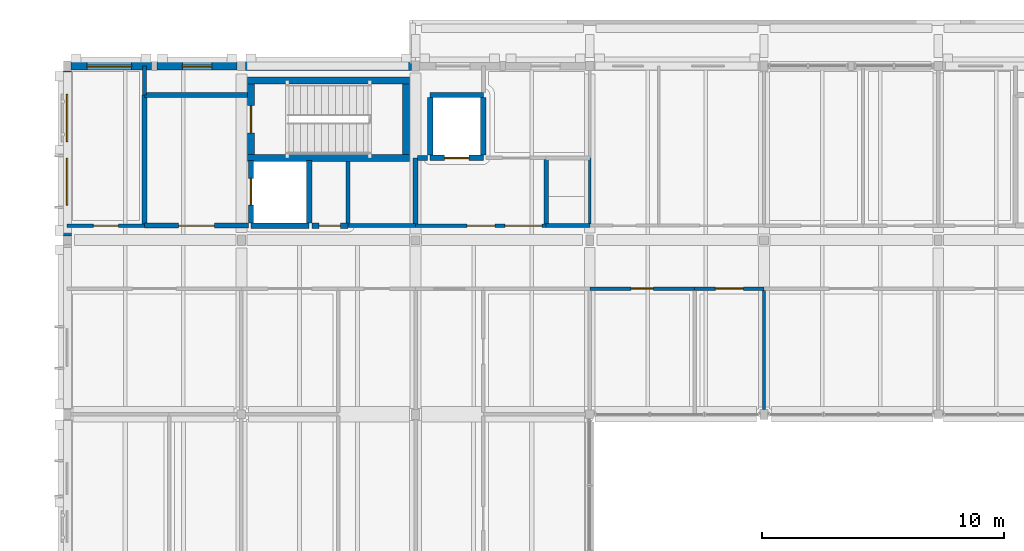
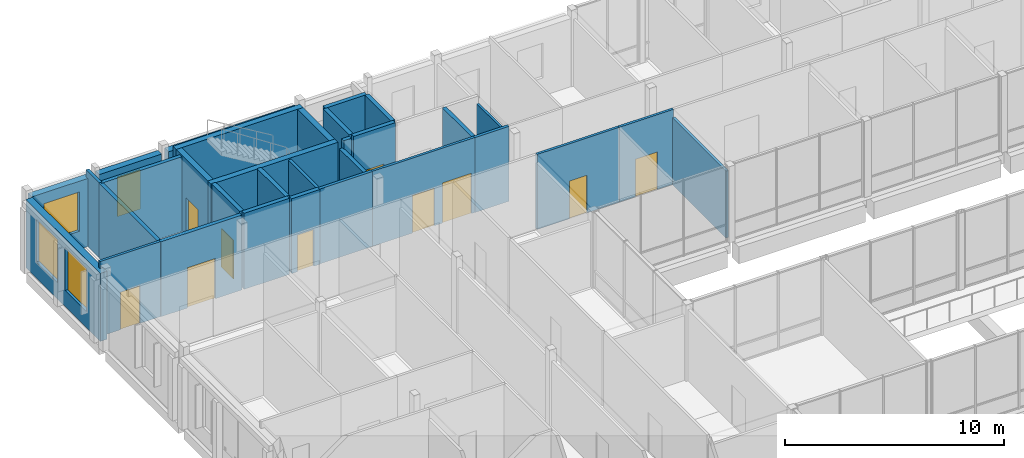
# One storey, part 109 of 146: 32 walls, 10 doors, 4 windows, 14 openings.
"""IFC4 building model written with IfcOpenShell, lengths in metres."""

from ifc_helpers import new_model, si_unit, direction, frame, frame_2d, origin, place, context, subcontext, project, spatial, rectangle, extrude, material, layer, layer_set, type_object, element, fill, save


model = new_model("IFC4")

# Units and contexts
model_context = context("Model", 3, precision=1e-05, world=origin(), true_north=direction((0.0, 1.0)))
body_context = subcontext(model_context, "Body", "Model", "MODEL_VIEW")
ifc_project = project(units=[si_unit("LENGTHUNIT", "METRE"), si_unit("AREAUNIT", "SQUARE_METRE"), si_unit("VOLUMEUNIT", "CUBIC_METRE"), si_unit("PLANEANGLEUNIT", "RADIAN"), si_unit("MASSUNIT", "GRAM", prefix="KILO")], contexts=[model_context])

# Site, building, storey
site_placement = place(None, origin())
site = spatial("IfcSite", under=ifc_project, at=site_placement, CompositionType="ELEMENT")
building_placement = place(site_placement, origin())
building = spatial("IfcBuilding", under=site, at=building_placement, Name="Hawrajan Terrace Health Centre", CompositionType="ELEMENT")
storey_placement = place(building_placement, frame((0.0, 0.0, 4.5)))
storey = spatial("IfcBuildingStorey", under=building, at=storey_placement, Name="L01", CompositionType="ELEMENT", Elevation=4.5)

# Wall, opening, door
ifc_material_1 = material(Name="Gypsum board on acoustic stud framing")
ifc_layer_1 = layer(ifc_material_1, 0.139892578125)
ifc_layer_set_1 = layer_set([ifc_layer_1], Name="Gypsum board on acoustic stud framing")
wall_type_1 = type_object("IfcWallType", Name="ClinicalAcousticWall_140", PredefinedType="PARTITIONING", material=ifc_layer_set_1)
wall_1_placement = place(storey_placement, frame((4.60009765625, 53.199951171875, 0.0), z_axis=(0.0, 0.0, 1.0), x_axis=(1.0, 0.0, 0.0)))
wall_1 = element("IfcWall", 1, at=wall_1_placement, inside=storey, type_object=wall_type_1, Name="Interior wall IW-L01-0513", PredefinedType="PARTITIONING", context=body_context, shape_type="SweptSolid", body=[
    extrude(rectangle(XDim=3.199951171875, YDim=0.139892578125, at=frame_2d((1.60009765625, 0.0))), origin(), (0.0, 0.0, 1.0), 4.179931640625),
])
opening_1_placement = place(wall_1_placement, frame((1.080078125, 0.0, 0.0)))
opening_1 = element("IfcOpeningElement", 2, at=opening_1_placement, cuts=wall_1, Name="Opening D-L01-315", PredefinedType="OPENING", context=body_context, shape_type="SweptSolid", body=[
    extrude(rectangle(XDim=1.0400390625, YDim=2.10009765625, at=frame_2d((0.52001953125, 1.050048828125))), frame((0.0, 0.079833984375, 0.0), z_axis=(0.0, -1.0, 0.0), x_axis=(1.0, 0.0, 0.0)), (0.0, 0.0, 1.0), 0.159912109375),
])
ifc_material_2 = material(Name="Hardwood acoustic clinical door leaf and frame", Category="wood")
door_type_1 = type_object("IfcDoorType", Name="ConsultDoor_1040x2100", OperationType="NOTDEFINED", PredefinedType="DOOR", material=ifc_material_2)
door_1_placement = place(opening_1_placement, origin())
door_1 = element("IfcDoor", 3, at=door_1_placement, inside=storey, type_object=door_type_1, Name="Interior door D-L01-315", OperationType="SINGLE_SWING_LEFT", OverallHeight=2.10009765625, OverallWidth=1.0400390625, PredefinedType="DOOR", context=body_context, shape_type="SweptSolid", body=[
    extrude(rectangle(XDim=1.0400390625, YDim=2.10009765625, at=frame_2d((0.52001953125, 1.050048828125))), frame((0.0, 0.02490234375, 0.0), z_axis=(0.0, -1.0, 0.0), x_axis=(1.0, 0.0, 0.0)), (0.0, 0.0, 1.0), 0.050048828125),
])
fill(opening_1, door_1)

# Wall, openings, doors
wall_2_placement = place(storey_placement, frame((19.0, 53.199951171875, 0.0), z_axis=(0.0, 0.0, 1.0), x_axis=(1.0, 0.0, 0.0)))
wall_2 = element("IfcWall", 4, at=wall_2_placement, inside=storey, type_object=wall_type_1, Name="Interior wall IW-L01-0550", PredefinedType="PARTITIONING", context=body_context, shape_type="SweptSolid", body=[
    extrude(rectangle(XDim=5.39990234375, YDim=0.139892578125, at=frame_2d((2.699951171875, 0.0))), origin(), (0.0, 0.0, 1.0), 4.179931640625),
])
opening_2_placement = place(wall_2_placement, frame((2.1201171875, 0.0, 0.0)))
opening_2 = element("IfcOpeningElement", 5, at=opening_2_placement, cuts=wall_2, Name="Opening D-L01-252", PredefinedType="OPENING", context=body_context, shape_type="SweptSolid", body=[
    extrude(rectangle(XDim=1.159912109375, YDim=2.10009765625, at=frame_2d((0.580078125, 1.050048828125))), frame((0.0, 0.079833984375, 0.0), z_axis=(0.0, -1.0, 0.0), x_axis=(1.0, 0.0, 0.0)), (0.0, 0.0, 1.0), 0.159912109375),
])
opening_3_placement = place(wall_2_placement, frame((3.68994140625, 0.0, 0.0)))
opening_3 = element("IfcOpeningElement", 6, at=opening_3_placement, cuts=wall_2, Name="Opening D-L01-254", PredefinedType="OPENING", context=body_context, shape_type="SweptSolid", body=[
    extrude(rectangle(XDim=1.5400390625, YDim=2.25, at=frame_2d((0.77001953125, 1.125))), frame((0.0, 0.079833984375, 0.0), z_axis=(0.0, -1.0, 0.0), x_axis=(1.0, 0.0, 0.0)), (0.0, 0.0, 1.0), 0.159912109375),
])
door_type_2 = type_object("IfcDoorType", Name="ConsultDoor_1160x2100", OperationType="NOTDEFINED", PredefinedType="DOOR", material=ifc_material_2)
door_2_placement = place(opening_2_placement, origin())
door_2 = element("IfcDoor", 7, at=door_2_placement, inside=storey, type_object=door_type_2, Name="Interior door D-L01-252", OperationType="SINGLE_SWING_RIGHT", OverallHeight=2.10009765625, OverallWidth=1.159912109375, PredefinedType="DOOR", context=body_context, shape_type="SweptSolid", body=[
    extrude(rectangle(XDim=1.159912109375, YDim=2.10009765625, at=frame_2d((0.580078125, 1.050048828125))), frame((0.0, 0.02490234375, 0.0), z_axis=(0.0, -1.0, 0.0), x_axis=(1.0, 0.0, 0.0)), (0.0, 0.0, 1.0), 0.050048828125),
])
fill(opening_2, door_2)
door_type_3 = type_object("IfcDoorType", Name="RecoveryBayDoor_1540x2250", OperationType="DOUBLE_DOOR_SINGLE_SWING", PredefinedType="DOOR", material=ifc_material_2)
door_3_placement = place(opening_3_placement, origin())
door_3 = element("IfcDoor", 8, at=door_3_placement, inside=storey, type_object=door_type_3, Name="Interior door D-L01-254", OperationType="DOUBLE_DOOR_SINGLE_SWING", OverallHeight=2.25, OverallWidth=1.5400390625, PredefinedType="DOOR", context=body_context, shape_type="SweptSolid", body=[
    extrude(rectangle(XDim=1.5400390625, YDim=2.25, at=frame_2d((0.77001953125, 1.125))), frame((0.0, 0.02490234375, 0.0), z_axis=(0.0, -1.0, 0.0), x_axis=(1.0, 0.0, 0.0)), (0.0, 0.0, 1.0), 0.050048828125),
])
fill(opening_3, door_3)

# Wall, opening, door
wall_3_placement = place(storey_placement, frame((26.199951171875, 50.60009765625, 0.0), z_axis=(0.0, 0.0, 1.0), x_axis=(1.0, 0.0, 0.0)))
wall_3 = element("IfcWall", 9, at=wall_3_placement, inside=storey, type_object=wall_type_1, Name="Interior wall IW-L01-0569", PredefinedType="PARTITIONING", context=body_context, shape_type="SweptSolid", body=[
    extrude(rectangle(XDim=4.333984375, YDim=0.139892578125, at=frame_2d((2.1669921875, 0.0))), origin(), (0.0, 0.0, 1.0), 4.179931640625),
])
opening_4_placement = place(wall_3_placement, frame((1.70703125, 0.0, 0.0)))
opening_4 = element("IfcOpeningElement", 10, at=opening_4_placement, cuts=wall_3, Name="Opening D-L01-322", PredefinedType="OPENING", context=body_context, shape_type="SweptSolid", body=[
    extrude(rectangle(XDim=0.919921875, YDim=2.10009765625, at=frame_2d((0.4599609375, 1.050048828125))), frame((0.0, 0.079833984375, 0.0), z_axis=(0.0, -1.0, 0.0), x_axis=(1.0, 0.0, 0.0)), (0.0, 0.0, 1.0), 0.159912109375),
])
door_type_4 = type_object("IfcDoorType", Name="StaffOfficeDoor_920x2100", OperationType="NOTDEFINED", PredefinedType="DOOR", material=ifc_material_2)
door_4_placement = place(opening_4_placement, origin())
door_4 = element("IfcDoor", 11, at=door_4_placement, inside=storey, type_object=door_type_4, Name="Interior door D-L01-322", OperationType="SINGLE_SWING_RIGHT", OverallHeight=2.10009765625, OverallWidth=0.919921875, PredefinedType="DOOR", context=body_context, shape_type="SweptSolid", body=[
    extrude(rectangle(XDim=0.919921875, YDim=2.10009765625, at=frame_2d((0.4599609375, 1.050048828125))), frame((0.0, 0.02490234375, 0.0), z_axis=(0.0, -1.0, 0.0), x_axis=(1.0, 0.0, 0.0)), (0.0, 0.0, 1.0), 0.050048828125),
])
fill(opening_4, door_4)

wall_4_placement = place(storey_placement, frame((30.533935546875, 50.60009765625, 0.0), z_axis=(0.0, 0.0, 1.0), x_axis=(1.0, 0.0, 0.0)))
wall_4 = element("IfcWall", 12, at=wall_4_placement, inside=storey, type_object=wall_type_1, Name="Interior wall IW-L01-0577", PredefinedType="PARTITIONING", context=body_context, shape_type="SweptSolid", body=[
    extrude(rectangle(XDim=2.865966796875, YDim=0.139892578125, at=frame_2d((1.43310546875, 0.0))), origin(), (0.0, 0.0, 1.0), 4.179931640625),
])
opening_5_placement = place(wall_4_placement, frame((0.85302734375, 0.0, 0.0)))
opening_5 = element("IfcOpeningElement", 13, at=opening_5_placement, cuts=wall_4, Name="Opening D-L01-323", PredefinedType="OPENING", context=body_context, shape_type="SweptSolid", body=[
    extrude(rectangle(XDim=1.159912109375, YDim=2.10009765625, at=frame_2d((0.580078125, 1.050048828125))), frame((0.0, 0.079833984375, 0.0), z_axis=(0.0, -1.0, 0.0), x_axis=(1.0, 0.0, 0.0)), (0.0, 0.0, 1.0), 0.159912109375),
])
door_5_placement = place(opening_5_placement, origin())
door_5 = element("IfcDoor", 14, at=door_5_placement, inside=storey, type_object=door_type_2, Name="Interior door D-L01-323", OperationType="SINGLE_SWING_LEFT", OverallHeight=2.10009765625, OverallWidth=1.159912109375, PredefinedType="DOOR", context=body_context, shape_type="SweptSolid", body=[
    extrude(rectangle(XDim=1.159912109375, YDim=2.10009765625, at=frame_2d((0.580078125, 1.050048828125))), frame((0.0, 0.02490234375, 0.0), z_axis=(0.0, -1.0, 0.0), x_axis=(1.0, 0.0, 0.0)), (0.0, 0.0, 1.0), 0.050048828125),
])
fill(opening_5, door_5)

# Wall
wall_5_placement = place(storey_placement, frame((33.39990234375, 45.610107421875, 0.0), z_axis=(0.0, 0.0, 1.0), x_axis=(0.0, 1.0, 0.0)))
element("IfcWall", 15, at=wall_5_placement, inside=storey, type_object=wall_type_1, Name="Interior wall IW-L01-0582", PredefinedType="PARTITIONING", context=body_context, shape_type="SweptSolid", body=[
    extrude(rectangle(XDim=4.919921875, YDim=0.139892578125, at=frame_2d((2.4599609375, 0.0))), origin(), (0.0, 0.0, 1.0), 3.739990234375),
])

# Wall, opening, window
ifc_material_3 = material(Name="Precast concrete C40/50", Category="concrete")
ifc_layer_2 = layer(ifc_material_3, 0.340087890625)
ifc_layer_set_2 = layer_set([ifc_layer_2], Name="Precast concrete C40/50")
wall_type_2 = type_object("IfcWallType", Name="CoralAshlarWall_340", PredefinedType="SOLIDWALL", material=ifc_layer_set_2)
wall_6_placement = place(storey_placement, frame((4.760009765625, 59.800048828125, 0.0), z_axis=(0.0, 0.0, 1.0), x_axis=(1.0, 0.0, 0.0)))
wall_6 = element("IfcWall", 16, at=wall_6_placement, inside=storey, type_object=wall_type_2, Name="Exterior wall EW-L01-H00-07-1", PredefinedType="SOLIDWALL", context=body_context, shape_type="SweptSolid", body=[
    extrude(rectangle(XDim=3.320068359375, YDim=0.340087890625, at=frame_2d((1.66015625, 0.0))), origin(), (0.0, 0.0, 1.0), 3.800048828125),
])
opening_6_placement = place(wall_6_placement, frame((0.655029296875, 0.0, 1.0)))
opening_6 = element("IfcOpeningElement", 17, at=opening_6_placement, cuts=wall_6, Name="Opening W-L01-054", PredefinedType="OPENING", context=body_context, shape_type="SweptSolid", body=[
    extrude(rectangle(XDim=1.85009765625, YDim=2.199951171875, at=frame_2d((0.925048828125, 1.10009765625))), frame((0.0, 0.179931640625, 0.0), z_axis=(0.0, -1.0, 0.0), x_axis=(1.0, 0.0, 0.0)), (0.0, 0.0, 1.0), 0.360107421875),
])
ifc_material_4 = material(Name="Anodized bronze frame with double low-E glazing", Category="glass")
window_type_1 = type_object("IfcWindowType", Name="FacadeWindow_1850x2200", PartitioningType="DOUBLE_PANEL_VERTICAL", PredefinedType="WINDOW", material=ifc_material_4)
window_1_placement = place(opening_6_placement, origin())
window_1 = element("IfcWindow", 18, at=window_1_placement, inside=storey, type_object=window_type_1, Name="Window W-L01-054", OverallHeight=2.199951171875, OverallWidth=1.85009765625, PartitioningType="DOUBLE_PANEL_VERTICAL", PredefinedType="WINDOW", context=body_context, shape_type="SweptSolid", body=[
    extrude(rectangle(XDim=1.85009765625, YDim=2.199951171875, at=frame_2d((0.925048828125, 1.10009765625))), frame((0.0, 0.030029296875, 0.0), z_axis=(0.0, -1.0, 0.0), x_axis=(1.0, 0.0, 0.0)), (0.0, 0.0, 1.0), 0.06005859375),
])
fill(opening_6, window_1)

wall_7_placement = place(storey_placement, frame((8.320068359375, 59.800048828125, 0.0), z_axis=(0.0, 0.0, 1.0), x_axis=(1.0, 0.0, 0.0)))
wall_7 = element("IfcWall", 19, at=wall_7_placement, inside=storey, type_object=wall_type_2, Name="Exterior wall EW-L01-H00-07-2", PredefinedType="SOLIDWALL", context=body_context, shape_type="SweptSolid", body=[
    extrude(rectangle(XDim=3.300048828125, YDim=0.340087890625, at=frame_2d((1.64990234375, 0.0))), origin(), (0.0, 0.0, 1.0), 3.800048828125),
])
opening_7_placement = place(wall_7_placement, frame((1.0400390625, 0.0, 1.0)))
opening_7 = element("IfcOpeningElement", 20, at=opening_7_placement, cuts=wall_7, Name="Opening W-L01-055", PredefinedType="OPENING", context=body_context, shape_type="SweptSolid", body=[
    extrude(rectangle(XDim=1.219970703125, YDim=2.199951171875, at=frame_2d((0.60986328125, 1.10009765625))), frame((0.0, 0.179931640625, 0.0), z_axis=(0.0, -1.0, 0.0), x_axis=(1.0, 0.0, 0.0)), (0.0, 0.0, 1.0), 0.360107421875),
])
window_type_2 = type_object("IfcWindowType", Name="FacadeWindow_1220x2200", PartitioningType="SINGLE_PANEL", PredefinedType="WINDOW", material=ifc_material_4)
window_2_placement = place(opening_7_placement, origin())
window_2 = element("IfcWindow", 21, at=window_2_placement, inside=storey, type_object=window_type_2, Name="Window W-L01-055", OverallHeight=2.199951171875, OverallWidth=1.219970703125, PartitioningType="SINGLE_PANEL", PredefinedType="WINDOW", context=body_context, shape_type="SweptSolid", body=[
    extrude(rectangle(XDim=1.219970703125, YDim=2.199951171875, at=frame_2d((0.60986328125, 1.10009765625))), frame((0.0, 0.030029296875, 0.0), z_axis=(0.0, -1.0, 0.0), x_axis=(1.0, 0.0, 0.0)), (0.0, 0.0, 1.0), 0.06005859375),
])
fill(opening_7, window_2)

# Wall, openings, windows
ifc_layer_3 = layer(ifc_material_3, 0.360107421875)
ifc_layer_set_3 = layer_set([ifc_layer_3], Name="Precast concrete C40/50")
wall_type_3 = type_object("IfcWallType", Name="CoralPodiumWall_360", PredefinedType="SOLIDWALL", material=ifc_layer_set_3)
wall_8_placement = place(storey_placement, frame((4.60009765625, 52.780029296875, 0.0), z_axis=(0.0, 0.0, 1.0), x_axis=(0.0, 1.0, 0.0)))
wall_8 = element("IfcWall", 22, at=wall_8_placement, inside=storey, type_object=wall_type_3, Name="Exterior wall EW-L01-V00-06-1", PredefinedType="SOLIDWALL", context=body_context, shape_type="SweptSolid", body=[
    extrude(rectangle(XDim=6.81005859375, YDim=0.360107421875, at=frame_2d((3.405029296875, 0.0))), origin(), (0.0, 0.0, 1.0), 3.800048828125),
])
opening_8_placement = place(wall_8_placement, frame((1.264892578125, 0.0, 0.89990234375)))
opening_8 = element("IfcOpeningElement", 23, at=opening_8_placement, cuts=wall_8, Name="Opening W-L01-056", PredefinedType="OPENING", context=body_context, shape_type="SweptSolid", body=[
    extrude(rectangle(XDim=1.949951171875, YDim=2.39990234375, at=frame_2d((0.97509765625, 1.199951171875))), frame((0.0, 0.18994140625, 0.0), z_axis=(0.0, -1.0, 0.0), x_axis=(1.0, 0.0, 0.0)), (0.0, 0.0, 1.0), 0.380126953125),
])
opening_9_placement = place(wall_8_placement, frame((3.89501953125, 0.0, 0.89990234375)))
opening_9 = element("IfcOpeningElement", 24, at=opening_9_placement, cuts=wall_8, Name="Opening W-L01-057", PredefinedType="OPENING", context=body_context, shape_type="SweptSolid", body=[
    extrude(rectangle(XDim=1.949951171875, YDim=2.39990234375, at=frame_2d((0.97509765625, 1.199951171875))), frame((0.0, 0.18994140625, 0.0), z_axis=(0.0, -1.0, 0.0), x_axis=(1.0, 0.0, 0.0)), (0.0, 0.0, 1.0), 0.380126953125),
])
window_type_3 = type_object("IfcWindowType", Name="FacadeWindow_1950x2400", PartitioningType="DOUBLE_PANEL_VERTICAL", PredefinedType="WINDOW", material=ifc_material_4)
window_3_placement = place(opening_8_placement, origin())
window_3 = element("IfcWindow", 25, at=window_3_placement, inside=storey, type_object=window_type_3, Name="Window W-L01-056", OverallHeight=2.39990234375, OverallWidth=1.949951171875, PartitioningType="DOUBLE_PANEL_VERTICAL", PredefinedType="WINDOW", context=body_context, shape_type="SweptSolid", body=[
    extrude(rectangle(XDim=1.949951171875, YDim=2.39990234375, at=frame_2d((0.97509765625, 1.199951171875))), frame((0.0, 0.030029296875, 0.0), z_axis=(0.0, -1.0, 0.0), x_axis=(1.0, 0.0, 0.0)), (0.0, 0.0, 1.0), 0.06005859375),
])
fill(opening_8, window_3)
window_4_placement = place(opening_9_placement, origin())
window_4 = element("IfcWindow", 26, at=window_4_placement, inside=storey, type_object=window_type_3, Name="Window W-L01-057", OverallHeight=2.39990234375, OverallWidth=1.949951171875, PartitioningType="DOUBLE_PANEL_VERTICAL", PredefinedType="WINDOW", context=body_context, shape_type="SweptSolid", body=[
    extrude(rectangle(XDim=1.949951171875, YDim=2.39990234375, at=frame_2d((0.97509765625, 1.199951171875))), frame((0.0, 0.030029296875, 0.0), z_axis=(0.0, -1.0, 0.0), x_axis=(1.0, 0.0, 0.0)), (0.0, 0.0, 1.0), 0.06005859375),
])
fill(opening_9, window_4)

# Walls
wall_9_placement = place(storey_placement, frame((11.97998046875, 59.800048828125, 0.0), z_axis=(0.0, 0.0, 1.0), x_axis=(1.0, 0.0, 0.0)))
element("IfcWall", 27, at=wall_9_placement, inside=storey, type_object=wall_type_3, Name="Exterior wall EW-L01-H01-07-1", PredefinedType="SOLIDWALL", context=body_context, shape_type="SweptSolid", body=[
    extrude(rectangle(XDim=6.860107421875, YDim=0.360107421875, at=frame_2d((3.43017578125, 0.0))), origin(), (0.0, 0.0, 1.0), 3.800048828125),
])
ifc_material_5 = material(Name="Concrete C40/50", Category="concrete")
ifc_layer_4 = layer(ifc_material_5, 0.300048828125)
ifc_layer_set_4 = layer_set([ifc_layer_4], Name="Concrete C40/50")
wall_type_4 = type_object("IfcWallType", Name="CoreShearWall_RC300", PredefinedType="SHEAR", material=ifc_layer_set_4)
for number, where, z_axis, x_axis, name in (
    (28, (12.050048828125, 56.0, 0.0), (0.0, 0.0, 1.0), (1.0, 0.0, 0.0), "Core shear wall SW-C1-L01-S"),
    (29, (12.050048828125, 59.199951171875, 0.0), (0.0, 0.0, 1.0), (1.0, 0.0, 0.0), "Core shear wall SW-C1-L01-N"),
):
    element("IfcWall", number, at=place(storey_placement, frame(where, z_axis=z_axis, x_axis=x_axis)), inside=storey, type_object=wall_type_4, Name=name, PredefinedType="SHEAR", context=body_context, shape_type="SweptSolid", body=[
        extrude(rectangle(XDim=6.699951171875, YDim=0.300048828125, at=frame_2d((3.35009765625, 0.0))), origin(), (0.0, 0.0, 1.0), 4.25),
    ])

# Wall, opening, door
wall_10_placement = place(storey_placement, frame((12.199951171875, 56.14990234375, 0.0), z_axis=(0.0, 0.0, 1.0), x_axis=(0.0, 1.0, 0.0)))
wall_10 = element("IfcWall", 30, at=wall_10_placement, inside=storey, type_object=wall_type_4, Name="Core shear wall SW-C1-L01-W", PredefinedType="SHEAR", context=body_context, shape_type="SweptSolid", body=[
    extrude(rectangle(XDim=2.900146484375, YDim=0.300048828125, at=frame_2d((1.4501953125, 0.0))), origin(), (0.0, 0.0, 1.0), 4.25),
])
opening_10_placement = place(wall_10_placement, frame((0.889892578125, 0.0, 0.0)))
opening_10 = element("IfcOpeningElement", 31, at=opening_10_placement, cuts=wall_10, Name="Opening D-L01-239", PredefinedType="OPENING", context=body_context, shape_type="SweptSolid", body=[
    extrude(rectangle(XDim=1.1201171875, YDim=2.10009765625, at=frame_2d((0.56005859375, 1.050048828125))), frame((0.0, 0.159912109375, 0.0), z_axis=(0.0, -1.0, 0.0), x_axis=(1.0, 0.0, 0.0)), (0.0, 0.0, 1.0), 0.320068359375),
])
ifc_material_6 = material(Name="Timber-veneered acoustic fire-resisting door assembly", Category="wood")
door_type_5 = type_object("IfcDoorType", Name="CoreStairDoor_1120x2100", OperationType="NOTDEFINED", PredefinedType="DOOR", material=ifc_material_6)
door_6_placement = place(opening_10_placement, origin())
door_6 = element("IfcDoor", 32, at=door_6_placement, inside=storey, type_object=door_type_5, Name="Interior door D-L01-239", OperationType="SINGLE_SWING_LEFT", OverallHeight=2.10009765625, OverallWidth=1.1201171875, PredefinedType="DOOR", context=body_context, shape_type="SweptSolid", body=[
    extrude(rectangle(XDim=1.1201171875, YDim=2.10009765625, at=frame_2d((0.56005859375, 1.050048828125))), frame((0.0, 0.02490234375, 0.0), z_axis=(0.0, -1.0, 0.0), x_axis=(1.0, 0.0, 0.0)), (0.0, 0.0, 1.0), 0.050048828125),
])
fill(opening_10, door_6)

# Walls
wall_11_placement = place(storey_placement, frame((18.60009765625, 56.14990234375, 0.0), z_axis=(0.0, 0.0, 1.0), x_axis=(0.0, 1.0, 0.0)))
element("IfcWall", 33, at=wall_11_placement, inside=storey, type_object=wall_type_4, Name="Core shear wall SW-C1-L01-E", PredefinedType="SHEAR", context=body_context, shape_type="SweptSolid", body=[
    extrude(rectangle(XDim=2.900146484375, YDim=0.300048828125, at=frame_2d((1.4501953125, 0.0))), origin(), (0.0, 0.0, 1.0), 4.25),
])
ifc_layer_5 = layer(ifc_material_1, 0.159912109375)
ifc_layer_set_5 = layer_set([ifc_layer_5], Name="Gypsum board on acoustic stud framing")
wall_type_5 = type_object("IfcWallType", Name="CorridorFireWall_160", PredefinedType="PARTITIONING", material=ifc_layer_set_5)
wall_12_placement = place(storey_placement, frame((16.199951171875, 53.27001953125, 0.0), z_axis=(0.0, 0.0, 1.0), x_axis=(0.0, 1.0, 0.0)))
element("IfcWall", 34, at=wall_12_placement, inside=storey, type_object=wall_type_5, Name="Interior wall IW-L01-0841", PredefinedType="PARTITIONING", context=body_context, shape_type="SweptSolid", body=[
    extrude(rectangle(XDim=2.590087890625, YDim=0.159912109375, at=frame_2d((1.294921875, 0.0))), origin(), (0.0, 0.0, 1.0), 4.179931640625),
])
wall_13_placement = place(storey_placement, frame((26.199951171875, 53.199951171875, 0.0), z_axis=(0.0, 0.0, 1.0), x_axis=(-1.0, 0.0, 0.0)))
element("IfcWall", 35, at=wall_13_placement, inside=storey, type_object=wall_type_5, Name="Interior wall IW-L01-0857", PredefinedType="PARTITIONING", context=body_context, shape_type="SweptSolid", body=[
    extrude(rectangle(XDim=1.800048828125, YDim=0.159912109375, at=frame_2d((0.89990234375, 0.0))), origin(), (0.0, 0.0, 1.0), 4.179931640625),
])
wall_14_placement = place(storey_placement, frame((19.0, 53.199951171875, 0.0), z_axis=(0.0, 0.0, 1.0), x_axis=(-1.0, 0.0, 0.0)))
element("IfcWall", 36, at=wall_14_placement, inside=storey, type_object=wall_type_5, Name="Interior wall IW-L01-0858", PredefinedType="PARTITIONING", context=body_context, shape_type="SweptSolid", body=[
    extrude(rectangle(XDim=2.800048828125, YDim=0.159912109375, at=frame_2d((1.39990234375, 0.0))), origin(), (0.0, 0.0, 1.0), 4.179931640625),
])
wall_15_placement = place(storey_placement, frame((7.800048828125, 58.60009765625, 0.0), z_axis=(0.0, 0.0, 1.0), x_axis=(0.0, 1.0, 0.0)))
element("IfcWall", 37, at=wall_15_placement, inside=storey, type_object=wall_type_5, Name="Interior wall IW-L01-0934", PredefinedType="PARTITIONING", context=body_context, shape_type="SweptSolid", body=[
    extrude(rectangle(XDim=1.199951171875, YDim=0.159912109375, at=frame_2d((0.60009765625, 0.0))), origin(), (0.0, 0.0, 1.0), 4.179931640625),
])
ifc_material_7 = material(Name="Cross-laminated timber CLT C24", Category="wood")
ifc_layer_6 = layer(ifc_material_7, 0.199951171875)
ifc_layer_set_6 = layer_set([ifc_layer_6], Name="Cross-laminated timber CLT C24")
wall_type_6 = type_object("IfcWallType", Name="FireCompartmentWall_200", PredefinedType="PARTITIONING", material=ifc_layer_set_6)
wall_16_placement = place(storey_placement, frame((7.800048828125, 53.27001953125, 0.0), z_axis=(0.0, 0.0, 1.0), x_axis=(0.0, 1.0, 0.0)))
element("IfcWall", 38, at=wall_16_placement, inside=storey, type_object=wall_type_6, Name="Interior wall IW-L01-0516", PredefinedType="PARTITIONING", context=body_context, shape_type="SweptSolid", body=[
    extrude(rectangle(XDim=5.330078125, YDim=0.199951171875, at=frame_2d((2.6650390625, 0.0))), origin(), (0.0, 0.0, 1.0), 4.179931640625),
])

# Wall, opening, door
wall_17_placement = place(storey_placement, frame((7.800048828125, 53.199951171875, 0.0), z_axis=(0.0, 0.0, 1.0), x_axis=(1.0, 0.0, 0.0)))
wall_17 = element("IfcWall", 39, at=wall_17_placement, inside=storey, type_object=wall_type_6, Name="Interior wall IW-L01-0517", PredefinedType="PARTITIONING", context=body_context, shape_type="SweptSolid", body=[
    extrude(rectangle(XDim=4.2900390625, YDim=0.199951171875, at=frame_2d((2.14501953125, 0.0))), origin(), (0.0, 0.0, 1.0), 4.179931640625),
])
opening_11_placement = place(wall_17_placement, frame((1.405029296875, 0.0, 0.0)))
opening_11 = element("IfcOpeningElement", 40, at=opening_11_placement, cuts=wall_17, Name="Opening D-L01-248", PredefinedType="OPENING", context=body_context, shape_type="SweptSolid", body=[
    extrude(rectangle(XDim=1.47998046875, YDim=2.25, at=frame_2d((0.739990234375, 1.125))), frame((0.0, 0.10986328125, 0.0), z_axis=(0.0, -1.0, 0.0), x_axis=(1.0, 0.0, 0.0)), (0.0, 0.0, 1.0), 0.219970703125),
])
door_type_6 = type_object("IfcDoorType", Name="FFLobbyDoor_1480x2250", OperationType="DOUBLE_DOOR_SINGLE_SWING", PredefinedType="DOOR", material=ifc_material_6)
door_7_placement = place(opening_11_placement, origin())
door_7 = element("IfcDoor", 41, at=door_7_placement, inside=storey, type_object=door_type_6, Name="Interior door D-L01-248", OperationType="DOUBLE_DOOR_SINGLE_SWING", OverallHeight=2.25, OverallWidth=1.47998046875, PredefinedType="DOOR", context=body_context, shape_type="SweptSolid", body=[
    extrude(rectangle(XDim=1.47998046875, YDim=2.25, at=frame_2d((0.739990234375, 1.125))), frame((0.0, 0.02490234375, 0.0), z_axis=(0.0, -1.0, 0.0), x_axis=(1.0, 0.0, 0.0)), (0.0, 0.0, 1.0), 0.050048828125),
])
fill(opening_11, door_7)

# Walls
wall_18_placement = place(storey_placement, frame((12.06005859375, 58.60009765625, 0.0), z_axis=(0.0, 0.0, 1.0), x_axis=(-1.0, 0.0, 0.0)))
element("IfcWall", 42, at=wall_18_placement, inside=storey, type_object=wall_type_6, Name="Interior wall IW-L01-0845", PredefinedType="PARTITIONING", context=body_context, shape_type="SweptSolid", body=[
    extrude(rectangle(XDim=4.260009765625, YDim=0.199951171875, at=frame_2d((2.1298828125, 0.0))), origin(), (0.0, 0.0, 1.0), 4.179931640625),
])
wall_19_placement = place(storey_placement, frame((24.39990234375, 53.27001953125, 0.0), z_axis=(0.0, 0.0, 1.0), x_axis=(0.0, 1.0, 0.0)))
element("IfcWall", 43, at=wall_19_placement, inside=storey, type_object=wall_type_6, Name="Interior wall IW-L01-0849", PredefinedType="PARTITIONING", context=body_context, shape_type="SweptSolid", body=[
    extrude(rectangle(XDim=2.659912109375, YDim=0.199951171875, at=frame_2d((1.330078125, 0.0))), origin(), (0.0, 0.0, 1.0), 4.179931640625),
])
wall_20_placement = place(storey_placement, frame((19.489990234375, 56.0, 0.0), z_axis=(0.0, 0.0, 1.0), x_axis=(-1.0, 0.0, 0.0)))
element("IfcWall", 44, at=wall_20_placement, inside=storey, type_object=wall_type_6, Name="Interior wall IW-L01-0850", PredefinedType="PARTITIONING", context=body_context, shape_type="SweptSolid", body=[
    extrude(rectangle(XDim=0.409912109375, YDim=0.199951171875, at=frame_2d((0.205078125, 0.0))), origin(), (0.0, 0.0, 1.0), 4.179931640625),
])
wall_21_placement = place(storey_placement, frame((19.0, 53.27001953125, 0.0), z_axis=(0.0, 0.0, 1.0), x_axis=(0.0, 1.0, 0.0)))
element("IfcWall", 45, at=wall_21_placement, inside=storey, type_object=wall_type_6, Name="Interior wall IW-L01-0851", PredefinedType="PARTITIONING", context=body_context, shape_type="SweptSolid", body=[
    extrude(rectangle(XDim=2.72998046875, YDim=0.199951171875, at=frame_2d((1.364990234375, 0.0))), origin(), (0.0, 0.0, 1.0), 3.739990234375),
])
ifc_layer_7 = layer(ifc_material_5, 0.219970703125)
ifc_layer_set_7 = layer_set([ifc_layer_7], Name="Concrete C40/50")
wall_type_7 = type_object("IfcWallType", Name="ShaftWall_RC220", PredefinedType="SOLIDWALL", material=ifc_layer_set_7)
wall_22_placement = place(storey_placement, frame((12.199951171875, 53.199951171875, 0.0), z_axis=(0.0, 0.0, 1.0), x_axis=(1.0, 0.0, 0.0)))
element("IfcWall", 46, at=wall_22_placement, inside=storey, type_object=wall_type_7, Name="Lift shaft wall LW-LC-01-L01-S", PredefinedType="SOLIDWALL", context=body_context, shape_type="SweptSolid", body=[
    extrude(rectangle(XDim=2.400146484375, YDim=0.219970703125, at=frame_2d((1.2001953125, 0.0))), origin(), (0.0, 0.0, 1.0), 4.25),
])

# Wall, opening, door
wall_23_placement = place(storey_placement, frame((12.199951171875, 53.31005859375, 0.0), z_axis=(0.0, 0.0, 1.0), x_axis=(0.0, 1.0, 0.0)))
wall_23 = element("IfcWall", 47, at=wall_23_placement, inside=storey, type_object=wall_type_7, Name="Lift shaft wall LW-LC-01-L01-W", PredefinedType="SOLIDWALL", context=body_context, shape_type="SweptSolid", body=[
    extrude(rectangle(XDim=2.579833984375, YDim=0.219970703125, at=frame_2d((1.2900390625, 0.0))), origin(), (0.0, 0.0, 1.0), 4.25),
])
opening_12_placement = place(wall_23_placement, frame((0.739990234375, 0.0, 0.0)))
opening_12 = element("IfcOpeningElement", 48, at=opening_12_placement, cuts=wall_23, Name="Opening LD-L01-LC-01", PredefinedType="OPENING", context=body_context, shape_type="SweptSolid", body=[
    extrude(rectangle(XDim=1.10009765625, YDim=2.14990234375, at=frame_2d((0.550048828125, 1.074951171875))), frame((0.0, 0.119873046875, 0.0), z_axis=(0.0, -1.0, 0.0), x_axis=(1.0, 0.0, 0.0)), (0.0, 0.0, 1.0), 0.239990234375),
])
ifc_material_8 = material(Name="Brushed bronze stainless-steel sliding lift landing door", Category="steel")
door_type_7 = type_object("IfcDoorType", Name="LiftLandingDoor_1100x2150", OperationType="SLIDING_TO_LEFT", PredefinedType="DOOR", material=ifc_material_8)
door_8_placement = place(opening_12_placement, origin())
door_8 = element("IfcDoor", 49, at=door_8_placement, inside=storey, type_object=door_type_7, Name="Lift landing door LD-L01-LC-01", OperationType="SLIDING_TO_LEFT", OverallHeight=2.14990234375, OverallWidth=1.10009765625, PredefinedType="DOOR", context=body_context, shape_type="SweptSolid", body=[
    extrude(rectangle(XDim=1.10009765625, YDim=2.14990234375, at=frame_2d((0.550048828125, 1.074951171875))), frame((0.0, 0.02490234375, 0.0), z_axis=(0.0, -1.0, 0.0), x_axis=(1.0, 0.0, 0.0)), (0.0, 0.0, 1.0), 0.050048828125),
])
fill(opening_12, door_8)

# Wall
wall_24_placement = place(storey_placement, frame((14.60009765625, 53.31005859375, 0.0), z_axis=(0.0, 0.0, 1.0), x_axis=(0.0, 1.0, 0.0)))
element("IfcWall", 50, at=wall_24_placement, inside=storey, type_object=wall_type_7, Name="Lift shaft wall LW-LC-01-L01-E", PredefinedType="SOLIDWALL", context=body_context, shape_type="SweptSolid", body=[
    extrude(rectangle(XDim=2.579833984375, YDim=0.219970703125, at=frame_2d((1.2900390625, 0.0))), origin(), (0.0, 0.0, 1.0), 4.25),
])

# Wall, opening, door
wall_25_placement = place(storey_placement, frame((19.60009765625, 56.0, 0.0), z_axis=(0.0, 0.0, 1.0), x_axis=(1.0, 0.0, 0.0)))
wall_25 = element("IfcWall", 51, at=wall_25_placement, inside=storey, type_object=wall_type_7, Name="Lift shaft wall LW-LC-02-L01-S", PredefinedType="SOLIDWALL", context=body_context, shape_type="SweptSolid", body=[
    extrude(rectangle(XDim=2.199951171875, YDim=0.219970703125, at=frame_2d((1.10009765625, 0.0))), origin(), (0.0, 0.0, 1.0), 4.25),
])
opening_13_placement = place(wall_25_placement, frame((0.60009765625, 0.0, 0.0)))
opening_13 = element("IfcOpeningElement", 52, at=opening_13_placement, cuts=wall_25, Name="Opening LD-L01-LC-02", PredefinedType="OPENING", context=body_context, shape_type="SweptSolid", body=[
    extrude(rectangle(XDim=1.0, YDim=2.14990234375, at=frame_2d((0.5, 1.074951171875))), frame((0.0, 0.119873046875, 0.0), z_axis=(0.0, -1.0, 0.0), x_axis=(1.0, 0.0, 0.0)), (0.0, 0.0, 1.0), 0.239990234375),
])
door_type_8 = type_object("IfcDoorType", Name="LiftLandingDoor_1000x2150", OperationType="SLIDING_TO_LEFT", PredefinedType="DOOR", material=ifc_material_8)
door_9_placement = place(opening_13_placement, origin())
door_9 = element("IfcDoor", 53, at=door_9_placement, inside=storey, type_object=door_type_8, Name="Lift landing door LD-L01-LC-02", OperationType="SLIDING_TO_LEFT", OverallHeight=2.14990234375, OverallWidth=1.0, PredefinedType="DOOR", context=body_context, shape_type="SweptSolid", body=[
    extrude(rectangle(XDim=1.0, YDim=2.14990234375, at=frame_2d((0.5, 1.074951171875))), frame((0.0, 0.02490234375, 0.0), z_axis=(0.0, -1.0, 0.0), x_axis=(1.0, 0.0, 0.0)), (0.0, 0.0, 1.0), 0.050048828125),
])
fill(opening_13, door_9)

# Walls
wall_26_placement = place(storey_placement, frame((19.60009765625, 58.60009765625, 0.0), z_axis=(0.0, 0.0, 1.0), x_axis=(1.0, 0.0, 0.0)))
element("IfcWall", 54, at=wall_26_placement, inside=storey, type_object=wall_type_7, Name="Lift shaft wall LW-LC-02-L01-N", PredefinedType="SOLIDWALL", context=body_context, shape_type="SweptSolid", body=[
    extrude(rectangle(XDim=2.199951171875, YDim=0.219970703125, at=frame_2d((1.10009765625, 0.0))), origin(), (0.0, 0.0, 1.0), 4.25),
])
for number, where, z_axis, x_axis, name in (
    (55, (19.60009765625, 56.110107421875, 0.0), (0.0, 0.0, 1.0), (0.0, 1.0, 0.0), "Lift shaft wall LW-LC-02-L01-W"),
    (56, (21.800048828125, 56.110107421875, 0.0), (0.0, 0.0, 1.0), (0.0, 1.0, 0.0), "Lift shaft wall LW-LC-02-L01-E"),
):
    element("IfcWall", number, at=place(storey_placement, frame(where, z_axis=z_axis, x_axis=x_axis)), inside=storey, type_object=wall_type_7, Name=name, PredefinedType="SOLIDWALL", context=body_context, shape_type="SweptSolid", body=[
        extrude(rectangle(XDim=2.3798828125, YDim=0.219970703125, at=frame_2d((1.18994140625, 0.0))), origin(), (0.0, 0.0, 1.0), 4.25),
    ])

# Wall, opening, door
wall_27_placement = place(storey_placement, frame((14.7099609375, 53.199951171875, 0.0), z_axis=(0.0, 0.0, 1.0), x_axis=(1.0, 0.0, 0.0)))
wall_27 = element("IfcWall", 57, at=wall_27_placement, inside=storey, type_object=wall_type_7, Name="Interior wall IW-L01-0535", PredefinedType="SOLIDWALL", context=body_context, shape_type="SweptSolid", body=[
    extrude(rectangle(XDim=1.489990234375, YDim=0.219970703125, at=frame_2d((0.7451171875, 0.0))), origin(), (0.0, 0.0, 1.0), 4.179931640625),
])
opening_14_placement = place(wall_27_placement, frame((0.304931640625, 0.0, 0.0)))
opening_14 = element("IfcOpeningElement", 58, at=opening_14_placement, cuts=wall_27, Name="Opening D-L01-296", PredefinedType="OPENING", context=body_context, shape_type="SweptSolid", body=[
    extrude(rectangle(XDim=0.8798828125, YDim=2.050048828125, at=frame_2d((0.43994140625, 1.02490234375))), frame((0.0, 0.119873046875, 0.0), z_axis=(0.0, -1.0, 0.0), x_axis=(1.0, 0.0, 0.0)), (0.0, 0.0, 1.0), 0.239990234375),
])
door_type_9 = type_object("IfcDoorType", Name="RiserAccessDoor_880x2050", OperationType="NOTDEFINED", PredefinedType="DOOR", material=ifc_material_6)
door_10_placement = place(opening_14_placement, origin())
door_10 = element("IfcDoor", 59, at=door_10_placement, inside=storey, type_object=door_type_9, Name="Service riser access door D-L01-296", OperationType="SINGLE_SWING_RIGHT", OverallHeight=2.050048828125, OverallWidth=0.8798828125, PredefinedType="DOOR", context=body_context, shape_type="SweptSolid", body=[
    extrude(rectangle(XDim=0.8798828125, YDim=2.050048828125, at=frame_2d((0.43994140625, 1.02490234375))), frame((0.0, 0.02490234375, 0.0), z_axis=(0.0, -1.0, 0.0), x_axis=(1.0, 0.0, 0.0)), (0.0, 0.0, 1.0), 0.050048828125),
])
fill(opening_14, door_10)

# Wall
ifc_material_9 = material(Name="Moisture-resistant board on stud framing")
ifc_layer_8 = layer(ifc_material_9, 0.1201171875)
ifc_layer_set_8 = layer_set([ifc_layer_8], Name="Moisture-resistant board on stud framing")
wall_type_8 = type_object("IfcWallType", Name="WetRoomPartition_120", PredefinedType="PLUMBINGWALL", material=ifc_layer_set_8)
wall_28_placement = place(storey_placement, frame((26.199951171875, 53.27001953125, 0.0), z_axis=(0.0, 0.0, 1.0), x_axis=(0.0, 1.0, 0.0)))
element("IfcWall", 60, at=wall_28_placement, inside=storey, type_object=wall_type_8, Name="Interior wall IW-L01-0925", PredefinedType="PLUMBINGWALL", context=body_context, shape_type="SweptSolid", body=[
    extrude(rectangle(XDim=2.72998046875, YDim=0.1201171875, at=frame_2d((1.364990234375, 0.0))), origin(), (0.0, 0.0, 1.0), 3.739990234375),
])

save(model, "model.ifc")
